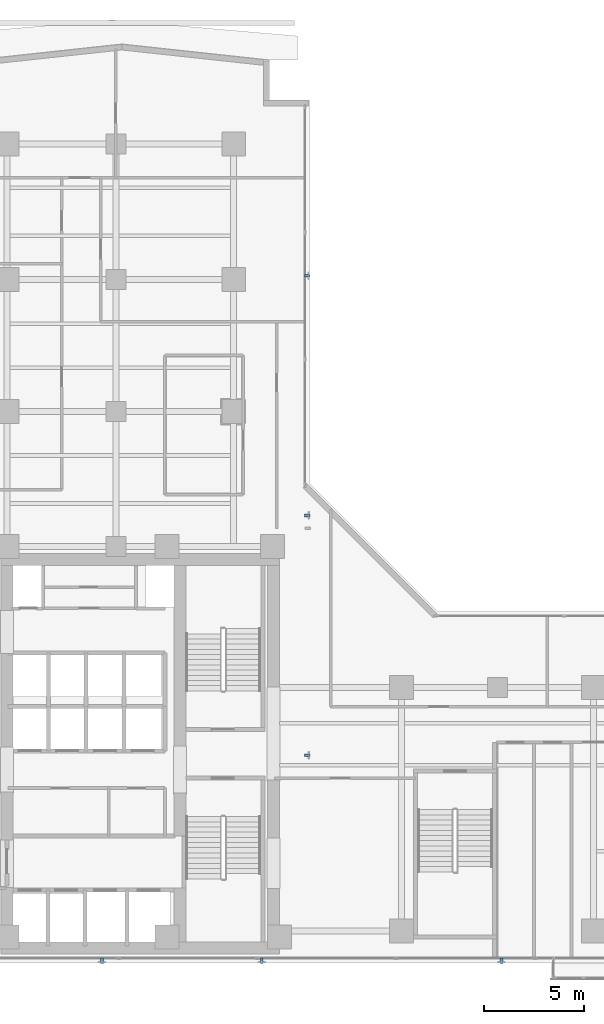
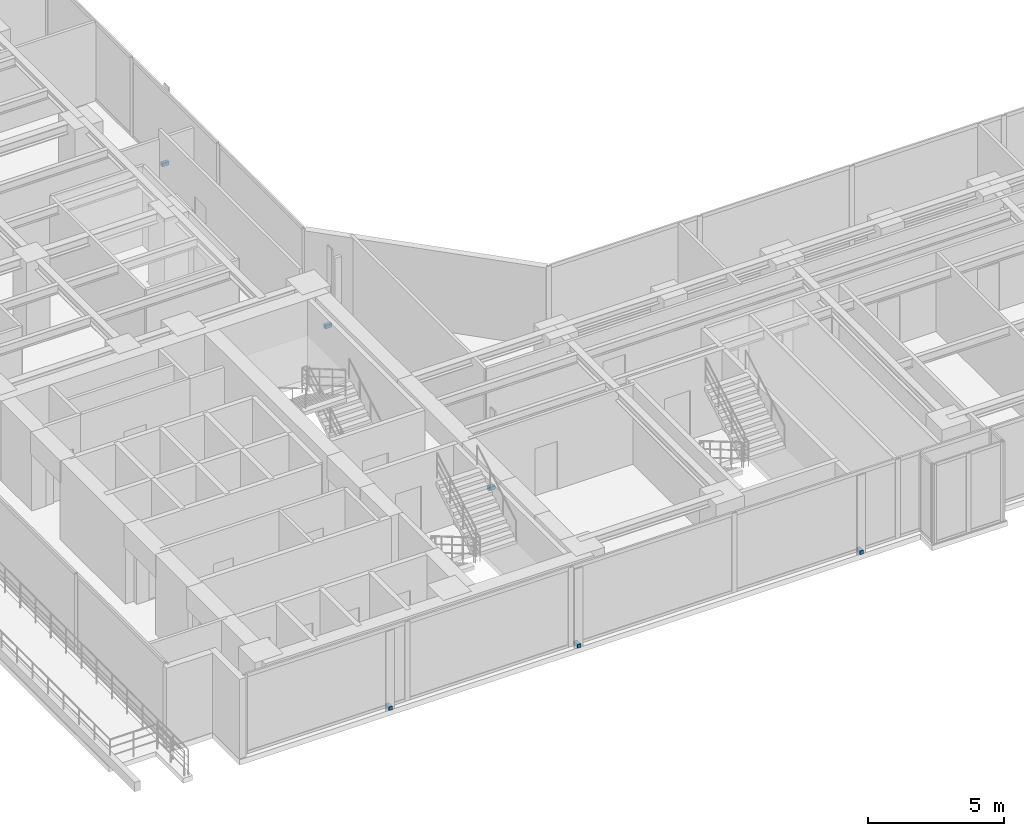
# One storey, part 23 of 28: 6 discrete accessories.
"""IFC4 building model written with IfcOpenShell, lengths in metres."""

from ifc_helpers import new_model, si_unit, direction, frame, origin, origin_with_axes, origin_2d, place, context, subcontext, project, spatial, rectangle, extrude, source, transform, mapped, material, type_object, element, save


model = new_model("IFC4")

# Units and contexts
model_context = context("Model", 3, precision=1e-05, world=origin(), true_north=direction((0.0, 1.0)))
body_context = subcontext(model_context, "Body", "Model", "MODEL_VIEW")
ifc_project = project(units=[si_unit("LENGTHUNIT", "METRE"), si_unit("AREAUNIT", "SQUARE_METRE"), si_unit("VOLUMEUNIT", "CUBIC_METRE"), si_unit("PLANEANGLEUNIT", "RADIAN"), si_unit("MASSUNIT", "GRAM", prefix="KILO")], contexts=[model_context])

# Site, building, storey
site_placement = place(None, origin())
site = spatial("IfcSite", under=ifc_project, at=site_placement, CompositionType="ELEMENT")
building_placement = place(site_placement, origin())
building = spatial("IfcBuilding", under=site, at=building_placement, Name="Kolvaren Waterfront Exchange", CompositionType="ELEMENT")
storey_placement = place(building_placement, frame((0.0, 0.0, 146.199951171875)))
storey = spatial("IfcBuildingStorey", under=building, at=storey_placement, Name="L37", CompositionType="ELEMENT", Elevation=146.199951171875)

# Discrete accessories
ifc_material = material(Name="Stainless steel 316", Category="steel")
discrete_accessory_type = type_object("IfcDiscreteAccessoryType", Name="ARC-BRK-FIN", PredefinedType="BRACKET", material=ifc_material)
shared_shape = source(origin_with_axes(), body_context, "Body", "SweptSolid", [
    extrude(rectangle(XDim=0.280029296875, YDim=0.139892578125, at=origin_2d()), origin(), (0.0, 0.0, 1.0), 0.159912109375),
])
for number, where, z_axis, x_axis, name in (
    (1, (12.199951171875, 3.719970703125, 0.0), (0.0, 0.0, 1.0), (0.0, -1.0, 0.0), "L37 bronze fin anchor bracket FIN-L37-S1"),
    (2, (20.199951171875, 3.719970703125, 0.0), (0.0, 0.0, 1.0), (0.0, -1.0, 0.0), "L37 bronze fin anchor bracket FIN-L37-S2"),
    (3, (32.199951171875, 3.719970703125, 0.0), (0.0, 0.0, 1.0), (0.0, -1.0, 0.0), "L37 bronze fin anchor bracket FIN-L37-S3"),
    (4, (22.47998046875, 14.0, 0.0), (0.0, 0.0, 1.0), (1.0, 0.0, 0.0), "L37 bronze fin anchor bracket FIN-L37-E1"),
    (5, (22.47998046875, 26.0, 0.0), (0.0, 0.0, 1.0), (1.0, 0.0, 0.0), "L37 bronze fin anchor bracket FIN-L37-E2"),
    (6, (22.47998046875, 38.0, 0.0), (0.0, 0.0, 1.0), (1.0, 0.0, 0.0), "L37 bronze fin anchor bracket FIN-L37-E3"),
):
    element("IfcDiscreteAccessory", number, at=place(storey_placement, frame(where, z_axis=z_axis, x_axis=x_axis)), inside=storey, type_object=discrete_accessory_type, Name=name, PredefinedType="BRACKET", context=body_context, shape_type="MappedRepresentation", body=[
        mapped(shared_shape, transform((0.0, 0.0, 0.0), x_axis=(1.0, 0.0, 0.0), y_axis=(0.0, 1.0, 0.0), z_axis=(0.0, 0.0, 1.0), scale=1.0)),
    ])

save(model, "model.ifc")
